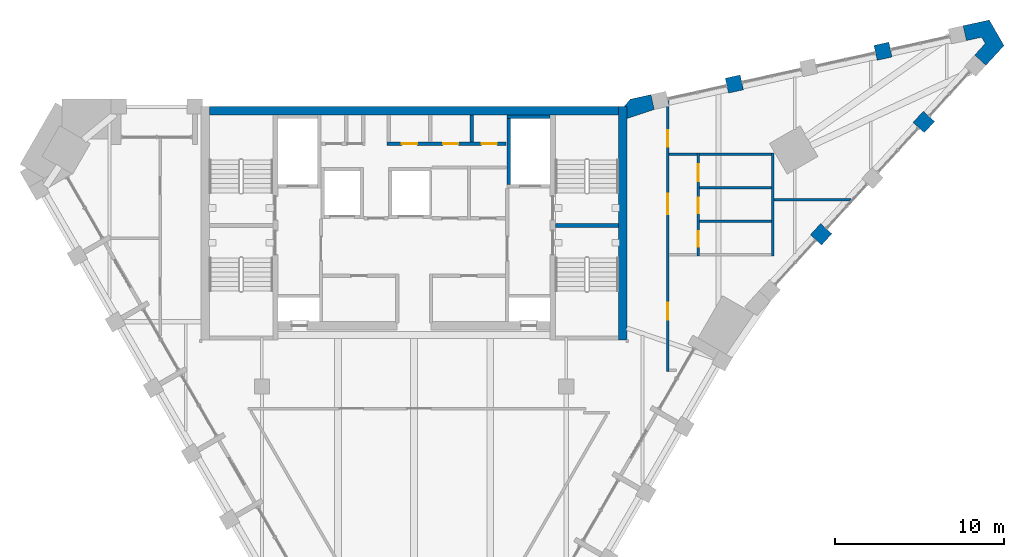
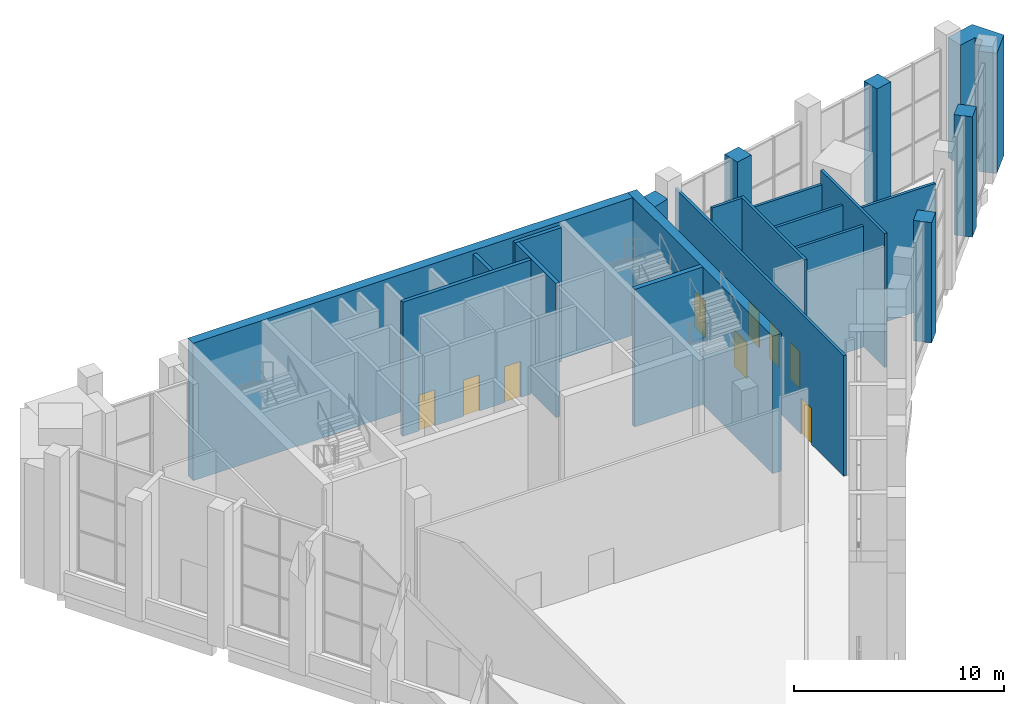
# One storey, part 13 of 16: 21 walls, 9 doors, 9 openings.
"""IFC4 building model written with IfcOpenShell, lengths in metres."""

import ifcopenshell
import ifcopenshell.guid

model = None  # the IFC model being written
_history = None  # IfcOwnerHistory: only IFC2X3 demands one
_inside = {}  # id of a spatial element -> (the spatial element, [elements in it])
_under = {}  # id of a project, library or spatial element -> (it, [spatial elements below it])
_declared = {}  # id of a project -> (the project, [libraries it declares])
_typed = {}  # id of a type object -> (the type object, [elements of that type])
_made_of = {}  # id of a material, layer set ... -> (it, [elements and type objects made of it])


def new_model(schema):
    """Start an empty IFC model of exactly this schema.

    Asked for "IFC4X3", IfcOpenShell would pick the latest addendum, in which some entities
    have other attributes; the version numbers below select the first issue.
    IFC2X3 requires an IfcOwnerHistory on every rooted entity: one is made here for all.
    """
    global model, _history
    if schema == "IFC4X3":
        model = ifcopenshell.file(schema_version=(4, 3, 0, 0))
    else:
        model = ifcopenshell.file(schema=schema)
    _inside.clear()
    _under.clear()
    _declared.clear()
    _typed.clear()
    _made_of.clear()
    _history = None
    if model.schema == "IFC2X3":
        org = make("IfcOrganization", Name="unknown")
        user = make(
            "IfcPersonAndOrganization",
            ThePerson=make("IfcPerson", FamilyName="unknown"),
            TheOrganization=org,
        )
        app = make(
            "IfcApplication",
            ApplicationDeveloper=org,
            Version="unknown",
            ApplicationFullName="unknown",
            ApplicationIdentifier="unknown",
        )
        _history = make(
            "IfcOwnerHistory",
            OwningUser=user,
            OwningApplication=app,
            ChangeAction="ADDED",
            CreationDate=0,
        )
    return model


def make(cls, **values):
    """One entity of the class cls with the attributes given. An attribute that is None is left unset."""
    return model.create_entity(
        cls, **{name: value for name, value in values.items() if value is not None}
    )


def rooted(cls, **values):
    """An entity with a GlobalId (a new one), such as an element, a storey or a relation."""
    return make(cls, GlobalId=ifcopenshell.guid.new(), OwnerHistory=_history, **values)


def si_unit(unit_type, name, prefix=None):
    """IfcSIUnit, for example si_unit("LENGTHUNIT", "METRE", prefix="MILLI")."""
    return make("IfcSIUnit", UnitType=unit_type, Prefix=prefix, Name=name)


def assignment(units):
    """IfcUnitAssignment: the units of a project."""
    return None if units is None else make("IfcUnitAssignment", Units=units)


def point(xyz):
    """IfcCartesianPoint."""
    return None if xyz is None else make("IfcCartesianPoint", Coordinates=xyz)


def direction(xyz):
    """IfcDirection."""
    return None if xyz is None else make("IfcDirection", DirectionRatios=xyz)


def frame(location, z_axis=None, x_axis=None):
    """IfcAxis2Placement3D, a coordinate frame: its origin and axes. An axis left out is left unset."""
    return make(
        "IfcAxis2Placement3D",
        Location=point(location),
        Axis=direction(z_axis),
        RefDirection=direction(x_axis),
    )


def frame_2d(location, x_axis=None):
    """IfcAxis2Placement2D, a coordinate frame in the plane: its origin and x axis."""
    return make(
        "IfcAxis2Placement2D", Location=point(location), RefDirection=direction(x_axis)
    )


def origin():
    """The frame at (0, 0, 0) with its axes left unset."""
    return frame((0.0, 0.0, 0.0))


def place(relative_to, where):
    """IfcLocalPlacement: puts the frame where relative to a parent placement (None: the world)."""
    return make(
        "IfcLocalPlacement", PlacementRelTo=relative_to, RelativePlacement=where
    )


def context(
    kind, dimensions, precision=None, world=None, true_north=None, identifier=None
):
    """IfcGeometricRepresentationContext, for example the 3D "Model" context."""
    return make(
        "IfcGeometricRepresentationContext",
        ContextIdentifier=identifier,
        ContextType=kind,
        CoordinateSpaceDimension=dimensions,
        Precision=precision,
        WorldCoordinateSystem=world,
        TrueNorth=true_north,
    )


def subcontext(parent, identifier, kind, view, scale=None):
    """IfcGeometricRepresentationSubContext, for example "Body" below "Model"."""
    return make(
        "IfcGeometricRepresentationSubContext",
        ContextIdentifier=identifier,
        ContextType=kind,
        ParentContext=parent,
        TargetScale=scale,
        TargetView=view,
    )


def project(units=None, contexts=None):
    """IfcProject with its units and contexts."""
    return rooted(
        "IfcProject",
        Name="project",
        RepresentationContexts=contexts,
        UnitsInContext=assignment(units),
    )


def spatial(cls, under=None, at=None, **own):
    """A site, building, storey or space (cls), placed at a placement, below another one or the project."""
    s = rooted(cls, ObjectPlacement=at, **own)
    if under is not None:
        _under.setdefault(under.id(), (under, []))[1].append(s)
    return s


def polyline(points):
    """IfcPolyline through the points."""
    return make("IfcPolyline", Points=[point(p) for p in points])


def profile(cls, at=None, kind="AREA", **sizes):
    """A parametric profile (cls). Its sizes go by their IFC names, for example OverallWidth=200.0."""
    return make(cls, ProfileType=kind, Position=at, **sizes)


def rectangle(**sizes):
    """IfcRectangleProfileDef."""
    return profile("IfcRectangleProfileDef", **sizes)


def outline(outer, holes=None, kind="AREA"):
    """IfcArbitraryClosedProfileDef: a profile drawn as a closed curve; with holes, ...WithVoids."""
    if holes is None:
        return make("IfcArbitraryClosedProfileDef", ProfileType=kind, OuterCurve=outer)
    return make(
        "IfcArbitraryProfileDefWithVoids",
        ProfileType=kind,
        OuterCurve=outer,
        InnerCurves=holes,
    )


def extrude(swept, where, along, depth):
    """IfcExtrudedAreaSolid: the profile swept, set in the frame where, extruded along a direction by depth."""
    return make(
        "IfcExtrudedAreaSolid",
        SweptArea=swept,
        Position=where,
        ExtrudedDirection=direction(along),
        Depth=depth,
    )


def shape(context_of_items, identifier, shape_type, items):
    """IfcShapeRepresentation: the items that make up one representation, for example the "Body"."""
    return make(
        "IfcShapeRepresentation",
        ContextOfItems=context_of_items,
        RepresentationIdentifier=identifier,
        RepresentationType=shape_type,
        Items=items,
    )


def material(Name=None, Category=None):
    """IfcMaterial."""
    return make("IfcMaterial", Name=Name, Category=Category)


def layer(
    of_material, thickness, ventilated=None, Name=None, Category=None, Priority=None
):
    """IfcMaterialLayer: one layer of a wall or slab, of a material (None: an air gap)."""
    return make(
        "IfcMaterialLayer",
        Material=of_material,
        LayerThickness=thickness,
        IsVentilated=ventilated,
        Name=Name,
        Category=Category,
        Priority=Priority,
    )


def layer_set(layers, Name=None):
    """IfcMaterialLayerSet."""
    return make("IfcMaterialLayerSet", MaterialLayers=layers, LayerSetName=Name)


def made_of(thing, what):
    """Note that an element or type object is made of a material, layer set ...; save() writes the relation."""
    if what is not None:
        _made_of.setdefault(what.id(), (what, []))[1].append(thing)
    return thing


def type_object(cls, material=None, **own):
    """A type object (cls), such as IfcWallType, which elements share."""
    return made_of(rooted(cls, **own), material)


def element(
    cls,
    number,
    at=None,
    inside=None,
    cuts=None,
    type_object=None,
    material=None,
    context=None,
    identifier="Body",
    shape_type=None,
    held_by="IfcProductDefinitionShape",
    body=None,
    shapes=None,
    **own,
):
    """One element of the class cls, such as IfcWall. Its Tag is "e" and its number.

    at: its placement. inside: the storey or other place that contains it. cuts: it is an
    opening in that element (IfcRelVoidsElement). A single representation is given by context,
    identifier, shape_type and body (its items); several are given by shapes. held_by: the class
    of the entity that holds the representations. save() writes the other relations.
    """
    e = rooted(cls, Tag="e%d" % number, ObjectPlacement=at, **own)
    if body is not None:
        shapes = [shape(context, identifier, shape_type, body)]
    if shapes is not None:
        e.Representation = make(held_by, Representations=shapes)
    if inside is not None:
        _inside.setdefault(inside.id(), (inside, []))[1].append(e)
    if cuts is not None:
        rooted(
            "IfcRelVoidsElement", RelatingBuildingElement=cuts, RelatedOpeningElement=e
        )
    if type_object is not None:
        _typed.setdefault(type_object.id(), (type_object, []))[1].append(e)
    return made_of(e, material)


def fill(opening, filler):
    """IfcRelFillsElement: the door or window that sits in an opening."""
    return rooted(
        "IfcRelFillsElement",
        RelatingOpeningElement=opening,
        RelatedBuildingElement=filler,
    )


def aggregate(whole, parts):
    """IfcRelAggregates: a whole, such as a stair, and the parts it consists of."""
    return rooted("IfcRelAggregates", RelatingObject=whole, RelatedObjects=parts)


def save(model, path):
    """Write the relations noted so far, then the file.

    IfcRelAggregates (storeys below a building ...), IfcRelContainedInSpatialStructure (elements
    in a storey), IfcRelDefinesByType, IfcRelAssociatesMaterial and IfcRelDeclares: one each for
    every whole, place, type object, material and project.
    """
    for whole, parts in _under.values():
        aggregate(whole, parts)
    for where, things in _inside.values():
        rooted(
            "IfcRelContainedInSpatialStructure",
            RelatedElements=things,
            RelatingStructure=where,
        )
    for kind, things in _typed.values():
        rooted("IfcRelDefinesByType", RelatedObjects=things, RelatingType=kind)
    for what, things in _made_of.values():
        rooted("IfcRelAssociatesMaterial", RelatedObjects=things, RelatingMaterial=what)
    for by, libraries in _declared.values():
        rooted("IfcRelDeclares", RelatingContext=by, RelatedDefinitions=libraries)
    model.write(path)


model = new_model("IFC4")

# Units and contexts
model_context = context("Model", 3, precision=1e-05, world=origin(), true_north=direction((0.0, 1.0)))
body_context = subcontext(model_context, "Body", "Model", "MODEL_VIEW")
ifc_project = project(units=[si_unit("LENGTHUNIT", "METRE"), si_unit("AREAUNIT", "SQUARE_METRE"), si_unit("VOLUMEUNIT", "CUBIC_METRE"), si_unit("PLANEANGLEUNIT", "RADIAN"), si_unit("MASSUNIT", "GRAM", prefix="KILO")], contexts=[model_context])

# Site, building, storey
site_placement = place(None, origin())
site = spatial("IfcSite", under=ifc_project, at=site_placement, CompositionType="ELEMENT")
building_placement = place(site_placement, origin())
building = spatial("IfcBuilding", under=site, at=building_placement, Name="Calabash Gate Tower", CompositionType="ELEMENT")
storey_placement = place(building_placement, frame((0.0, 0.0, 302.5)))
storey = spatial("IfcBuildingStorey", under=building, at=storey_placement, Name="L72", CompositionType="ELEMENT", Elevation=302.5)

# Walls
ifc_material_1 = material(Name="Terracotta brick masonry, exposed face", Category="masonry")
ifc_layer_1 = layer(ifc_material_1, 0.89990234375)
ifc_layer_set_1 = layer_set([ifc_layer_1], Name="Brick end wall 900")
wall_type_1 = type_object("IfcWallType", Name="Brick end wall 900", PredefinedType="SOLIDWALL", material=ifc_layer_set_1)
wall_1_placement = place(storey_placement, frame((23.763671875, 11.17333984375, 0.0), z_axis=(0.0, 0.0, 1.0), x_axis=(0.674802966049, 0.737997938352, 0.0)))
element("IfcWall", 1, at=wall_1_placement, inside=storey, type_object=wall_type_1, Name="Brick pier L72 wedge3.1", PredefinedType="SOLIDWALL", context=body_context, shape_type="SweptSolid", body=[
    extrude(rectangle(XDim=0.900146484375, YDim=0.89990234375, at=frame_2d((0.4501953125, 0.0))), origin(), (0.0, 0.0, 1.0), 7.0),
])
wall_2_placement = place(storey_placement, frame((30.44482421875, 18.47900390625, 0.0), z_axis=(0.0, 0.0, 1.0), x_axis=(-0.674938051731, -0.737874397391, 0.0)))
element("IfcWall", 2, at=wall_2_placement, inside=storey, type_object=wall_type_1, Name="Brick pier L72 wedge3.3", PredefinedType="SOLIDWALL", context=body_context, shape_type="SweptSolid", body=[
    extrude(rectangle(XDim=0.89990234375, YDim=0.89990234375, at=frame_2d((0.449951171875, 0.0))), origin(), (0.0, 0.0, 1.0), 7.0),
])
for number, where, z_axis, x_axis, name in (
    (3, (28.16650390625, 22.42529296875, 0.0), (0.0, 0.0, 1.0), (-0.976473402733, -0.215637876437, 0.0), "Brick pier L72 wedge5.1"),
    (4, (18.4990234375, 20.2919921875, 0.0), (0.0, 0.0, 1.0), (0.976473402733, 0.215637876437, 0.0), "Brick pier L72 wedge5.3"),
):
    element("IfcWall", number, at=place(storey_placement, frame(where, z_axis=z_axis, x_axis=x_axis)), inside=storey, type_object=wall_type_1, Name=name, PredefinedType="SOLIDWALL", context=body_context, shape_type="SweptSolid", body=[
        extrude(rectangle(XDim=0.900146484375, YDim=0.89990234375, at=frame_2d((0.4501953125, 0.0))), origin(), (0.0, 0.0, 1.0), 7.0),
    ])
wall_3_placement = place(storey_placement, origin())
element("IfcWall", 5, at=wall_3_placement, inside=storey, type_object=wall_type_1, Name="Brick end wall L72 2", PredefinedType="SOLIDWALL", context=body_context, shape_type="SweptSolid", body=[
    extrude(outline(polyline([(33.813720703125, 21.496337890625), (34.881591796875, 22.663818359375), (34.0087890625, 24.175048828125), (32.4638671875, 23.834228515625), (32.65771484375, 22.955322265625), (33.55908203125, 23.154296875), (33.7724609375, 22.78466796875), (33.149658203125, 22.103759765625), (33.813720703125, 21.496337890625)])), origin(), (0.0, 0.0, 1.0), 7.0),
])
wall_4_placement = place(storey_placement, origin())
element("IfcWall", 6, at=wall_4_placement, inside=storey, type_object=wall_type_1, Name="Brick end wall L72 3", PredefinedType="SOLIDWALL", context=body_context, shape_type="SweptSolid", body=[
    extrude(outline(polyline([(14.201416015625, 18.883056640625), (14.0078125, 19.761962890625), (12.784423828125, 19.491943359375), (12.410400390625, 19.052490234375), (12.60009765625, 19.052490234375), (12.60009765625, 18.351806640625), (14.201416015625, 18.883056640625)])), origin(), (0.0, 0.0, 1.0), 7.0),
])
ifc_material_2 = material(Name="Gypsum board on steel studs, mineral wool", Category="steel")
ifc_layer_2 = layer(ifc_material_2, 0.199951171875)
ifc_layer_set_2 = layer_set([ifc_layer_2], Name="Core partition 200 gypsum board")
wall_type_2 = type_object("IfcWallType", Name="Core partition 200 gypsum board", PredefinedType="PARTITIONING", material=ifc_layer_set_2)
wall_5_placement = place(storey_placement, frame((3.39990234375, 16.95263671875, 0.0), z_axis=(0.0, 0.0, 1.0), x_axis=(0.0, 1.0, 0.0)))
element("IfcWall", 7, at=wall_5_placement, inside=storey, type_object=wall_type_2, Name="Core partition", PredefinedType="PARTITIONING", context=body_context, shape_type="SweptSolid", body=[
    extrude(rectangle(XDim=1.599853515625, YDim=0.199951171875, at=frame_2d((0.7998046875, 0.0))), origin(), (0.0, 0.0, 1.0), 7.800048828125),
])
ifc_material_3 = material(Name="Concrete C60/75", Category="concrete")
ifc_layer_3 = layer(ifc_material_3, 0.25)
ifc_layer_set_3 = layer_set([ifc_layer_3], Name="Core wall 250 Concrete C60/75")
wall_type_3 = type_object("IfcWallType", Name="Core wall 250 Concrete C60/75", PredefinedType="SHEAR", material=ifc_layer_set_3)
wall_6_placement = place(storey_placement, frame((8.35009765625, 12.027587890625, 0.0), z_axis=(0.0, 0.0, 1.0), x_axis=(1.0, 0.0, 0.0)))
element("IfcWall", 8, at=wall_6_placement, inside=storey, type_object=wall_type_3, Name="Core wall Z5-MIDE L72", PredefinedType="SHEAR", context=body_context, shape_type="SweptSolid", body=[
    extrude(rectangle(XDim=3.75, YDim=0.25, at=frame_2d((1.875, 0.0))), origin(), (0.0, 0.0, 1.0), 8.0),
])
ifc_material_4 = material(Name="Concrete C60/75", Category="concrete")
ifc_layer_4 = layer(ifc_material_4, 0.5)
ifc_layer_set_4 = layer_set([ifc_layer_4], Name="Core wall 500 Concrete C60/75")
wall_type_4 = type_object("IfcWallType", Name="Core wall 500 Concrete C60/75", PredefinedType="SHEAR", material=ifc_layer_set_4)
wall_7_placement = place(storey_placement, frame((-12.10009765625, 18.802490234375, 0.0), z_axis=(0.0, 0.0, 1.0), x_axis=(1.0, 0.0, 0.0)))
element("IfcWall", 9, at=wall_7_placement, inside=storey, type_object=wall_type_4, Name="Core wall Z5-N L72", PredefinedType="SHEAR", context=body_context, shape_type="SweptSolid", body=[
    extrude(rectangle(XDim=24.2001953125, YDim=0.5, at=frame_2d((12.10009765625, 0.0))), origin(), (0.0, 0.0, 1.0), 8.0),
])
wall_8_placement = place(storey_placement, frame((12.35009765625, 5.252685546875, 0.0), z_axis=(0.0, 0.0, 1.0), x_axis=(0.0, 1.0, 0.0)))
element("IfcWall", 10, at=wall_8_placement, inside=storey, type_object=wall_type_4, Name="Core wall Z5-COLE L72", PredefinedType="SHEAR", context=body_context, shape_type="SweptSolid", body=[
    extrude(rectangle(XDim=13.7998046875, YDim=0.5, at=frame_2d((6.89990234375, 0.0))), origin(), (0.0, 0.0, 1.0), 8.0),
])

# Wall, openings, doors
ifc_material_5 = material(Name="Gypsum board on steel studs, mineral wool", Category="steel")
ifc_layer_5 = layer(ifc_material_5, 0.14990234375)
ifc_layer_set_5 = layer_set([ifc_layer_5], Name="Partition 150 gypsum board")
wall_type_5 = type_object("IfcWallType", Name="Partition 150 gypsum board", PredefinedType="PARTITIONING", material=ifc_layer_set_5)
wall_9_placement = place(storey_placement, frame((15.0, 3.377685546875, 0.0), z_axis=(0.0, 0.0, 1.0), x_axis=(0.0, 1.0, 0.0)))
wall_9 = element("IfcWall", 11, at=wall_9_placement, inside=storey, type_object=wall_type_5, Name="Partition", PredefinedType="PARTITIONING", context=body_context, shape_type="SweptSolid", body=[
    extrude(rectangle(XDim=16.084228515625, YDim=0.14990234375, at=frame_2d((8.0419921875, 0.0))), origin(), (0.0, 0.0, 1.0), 7.02001953125),
])
opening_1_placement = place(wall_9_placement, frame((9.31103515625, 0.0, 0.0)))
opening_1 = element("IfcOpeningElement", 12, at=opening_1_placement, cuts=wall_9, Name="Opening L72-026", PredefinedType="OPENING", context=body_context, shape_type="SweptSolid", body=[
    extrude(rectangle(XDim=1.199951171875, YDim=2.10009765625, at=frame_2d((0.60009765625, 1.050048828125))), frame((0.0, 0.0849609375, 0.0), z_axis=(0.0, -1.0, 0.0), x_axis=(1.0, 0.0, 0.0)), (0.0, 0.0, 1.0), 0.169921875),
])
opening_2_placement = place(wall_9_placement, frame((13.29248046875, 0.0, 0.0)))
opening_2 = element("IfcOpeningElement", 13, at=opening_2_placement, cuts=wall_9, Name="Opening L72-030", PredefinedType="OPENING", context=body_context, shape_type="SweptSolid", body=[
    extrude(rectangle(XDim=1.0, YDim=2.10009765625, at=frame_2d((0.5, 1.050048828125))), frame((0.0, 0.0849609375, 0.0), z_axis=(0.0, -1.0, 0.0), x_axis=(1.0, 0.0, 0.0)), (0.0, 0.0, 1.0), 0.169921875),
])
opening_3_placement = place(wall_9_placement, frame((3.071044921875, 0.0, 0.0)))
opening_3 = element("IfcOpeningElement", 14, at=opening_3_placement, cuts=wall_9, Name="Opening L72-031", PredefinedType="OPENING", context=body_context, shape_type="SweptSolid", body=[
    extrude(rectangle(XDim=1.0, YDim=2.10009765625, at=frame_2d((0.5, 1.050048828125))), frame((0.0, 0.0849609375, 0.0), z_axis=(0.0, -1.0, 0.0), x_axis=(1.0, 0.0, 0.0)), (0.0, 0.0, 1.0), 0.169921875),
])
ifc_material_6 = material(Name="Steel fire door set with fire-resisting glazing", Category="steel")
door_type_1 = type_object("IfcDoorType", Name="Fire door D09 1200x2100 FD60", OperationType="NOTDEFINED", PredefinedType="DOOR", material=ifc_material_6)
door_1_placement = place(opening_1_placement, origin())
door_1 = element("IfcDoor", 15, at=door_1_placement, inside=storey, type_object=door_type_1, Name="Public WC Lobby door", OperationType="SINGLE_SWING_RIGHT", OverallHeight=2.10009765625, OverallWidth=1.199951171875, PredefinedType="DOOR", context=body_context, shape_type="SweptSolid", body=[
    extrude(rectangle(XDim=1.199951171875, YDim=2.10009765625, at=frame_2d((0.60009765625, 1.050048828125))), frame((0.0, 0.02490234375, 0.0), z_axis=(0.0, -1.0, 0.0), x_axis=(1.0, 0.0, 0.0)), (0.0, 0.0, 1.0), 0.050048828125),
])
fill(opening_1, door_1)
ifc_material_7 = material(Name="Steel fire door set with fire-resisting glazing", Category="steel")
door_type_2 = type_object("IfcDoorType", Name="Fire door D11 1000x2100 FD60", OperationType="NOTDEFINED", PredefinedType="DOOR", material=ifc_material_7)
door_2_placement = place(opening_2_placement, origin())
door_2 = element("IfcDoor", 16, at=door_2_placement, inside=storey, type_object=door_type_2, Name="Gift Shop door", OperationType="SINGLE_SWING_LEFT", OverallHeight=2.10009765625, OverallWidth=1.0, PredefinedType="DOOR", context=body_context, shape_type="SweptSolid", body=[
    extrude(rectangle(XDim=1.0, YDim=2.10009765625, at=frame_2d((0.5, 1.050048828125))), frame((0.0, 0.02490234375, 0.0), z_axis=(0.0, -1.0, 0.0), x_axis=(1.0, 0.0, 0.0)), (0.0, 0.0, 1.0), 0.050048828125),
])
fill(opening_2, door_2)
door_3_placement = place(opening_3_placement, origin())
door_3 = element("IfcDoor", 17, at=door_3_placement, inside=storey, type_object=door_type_2, Name="Kitchen door", OperationType="SINGLE_SWING_RIGHT", OverallHeight=2.10009765625, OverallWidth=1.0, PredefinedType="DOOR", context=body_context, shape_type="SweptSolid", body=[
    extrude(rectangle(XDim=1.0, YDim=2.10009765625, at=frame_2d((0.5, 1.050048828125))), frame((0.0, 0.02490234375, 0.0), z_axis=(0.0, -1.0, 0.0), x_axis=(1.0, 0.0, 0.0)), (0.0, 0.0, 1.0), 0.050048828125),
])
fill(opening_3, door_3)

wall_10_placement = place(storey_placement, frame((16.800048828125, 10.2236328125, 0.0), z_axis=(0.0, 0.0, 1.0), x_axis=(0.0, 1.0, 0.0)))
wall_10 = element("IfcWall", 18, at=wall_10_placement, inside=storey, type_object=wall_type_5, Name="Partition", PredefinedType="PARTITIONING", context=body_context, shape_type="SweptSolid", body=[
    extrude(rectangle(XDim=6.090087890625, YDim=0.14990234375, at=frame_2d((3.044921875, 0.0))), origin(), (0.0, 0.0, 1.0), 7.800048828125),
])
opening_4_placement = place(wall_10_placement, frame((0.554931640625, 0.0, 0.0)))
opening_4 = element("IfcOpeningElement", 19, at=opening_4_placement, cuts=wall_10, Name="Opening L72-027", PredefinedType="OPENING", context=body_context, shape_type="SweptSolid", body=[
    extrude(rectangle(XDim=0.89990234375, YDim=2.10009765625, at=frame_2d((0.449951171875, 1.050048828125))), frame((0.0, 0.0849609375, 0.0), z_axis=(0.0, -1.0, 0.0), x_axis=(1.0, 0.0, 0.0)), (0.0, 0.0, 1.0), 0.169921875),
])
opening_5_placement = place(wall_10_placement, frame((2.534912109375, 0.0, 0.0)))
opening_5 = element("IfcOpeningElement", 20, at=opening_5_placement, cuts=wall_10, Name="Opening L72-028", PredefinedType="OPENING", context=body_context, shape_type="SweptSolid", body=[
    extrude(rectangle(XDim=0.89990234375, YDim=2.10009765625, at=frame_2d((0.449951171875, 1.050048828125))), frame((0.0, 0.0849609375, 0.0), z_axis=(0.0, -1.0, 0.0), x_axis=(1.0, 0.0, 0.0)), (0.0, 0.0, 1.0), 0.169921875),
])
opening_6_placement = place(wall_10_placement, frame((4.4150390625, 0.0, 0.0)))
opening_6 = element("IfcOpeningElement", 21, at=opening_6_placement, cuts=wall_10, Name="Opening L72-029", PredefinedType="OPENING", context=body_context, shape_type="SweptSolid", body=[
    extrude(rectangle(XDim=1.0, YDim=2.10009765625, at=frame_2d((0.5, 1.050048828125))), frame((0.0, 0.0849609375, 0.0), z_axis=(0.0, -1.0, 0.0), x_axis=(1.0, 0.0, 0.0)), (0.0, 0.0, 1.0), 0.169921875),
])
ifc_material_8 = material(Name="Steel fire door set with fire-resisting glazing", Category="steel")
door_type_3 = type_object("IfcDoorType", Name="Fire door D13 900x2100 FD30", OperationType="NOTDEFINED", PredefinedType="DOOR", material=ifc_material_8)
door_4_placement = place(opening_4_placement, origin())
door_4 = element("IfcDoor", 22, at=door_4_placement, inside=storey, type_object=door_type_3, Name="Men's WC door", OperationType="SINGLE_SWING_LEFT", OverallHeight=2.10009765625, OverallWidth=0.89990234375, PredefinedType="DOOR", context=body_context, shape_type="SweptSolid", body=[
    extrude(rectangle(XDim=0.89990234375, YDim=2.10009765625, at=frame_2d((0.449951171875, 1.050048828125))), frame((0.0, 0.02490234375, 0.0), z_axis=(0.0, -1.0, 0.0), x_axis=(1.0, 0.0, 0.0)), (0.0, 0.0, 1.0), 0.050048828125),
])
fill(opening_4, door_4)
door_5_placement = place(opening_5_placement, origin())
door_5 = element("IfcDoor", 23, at=door_5_placement, inside=storey, type_object=door_type_3, Name="Women's WC door", OperationType="SINGLE_SWING_RIGHT", OverallHeight=2.10009765625, OverallWidth=0.89990234375, PredefinedType="DOOR", context=body_context, shape_type="SweptSolid", body=[
    extrude(rectangle(XDim=0.89990234375, YDim=2.10009765625, at=frame_2d((0.449951171875, 1.050048828125))), frame((0.0, 0.02490234375, 0.0), z_axis=(0.0, -1.0, 0.0), x_axis=(1.0, 0.0, 0.0)), (0.0, 0.0, 1.0), 0.050048828125),
])
fill(opening_5, door_5)
ifc_material_9 = material(Name="Steel fire door set with fire-resisting glazing", Category="steel")
door_type_4 = type_object("IfcDoorType", Name="Fire door D14 1000x2100 FD30", OperationType="NOTDEFINED", PredefinedType="DOOR", material=ifc_material_9)
door_6_placement = place(opening_6_placement, origin())
door_6 = element("IfcDoor", 24, at=door_6_placement, inside=storey, type_object=door_type_4, Name="Accessible WC door", OperationType="SINGLE_SWING_RIGHT", OverallHeight=2.10009765625, OverallWidth=1.0, PredefinedType="DOOR", context=body_context, shape_type="SweptSolid", body=[
    extrude(rectangle(XDim=1.0, YDim=2.10009765625, at=frame_2d((0.5, 1.050048828125))), frame((0.0, 0.02490234375, 0.0), z_axis=(0.0, -1.0, 0.0), x_axis=(1.0, 0.0, 0.0)), (0.0, 0.0, 1.0), 0.050048828125),
])
fill(opening_6, door_6)

# Walls
wall_11_placement = place(storey_placement, frame((21.199951171875, 10.2236328125, 0.0), z_axis=(0.0, 0.0, 1.0), x_axis=(0.0, 1.0, 0.0)))
element("IfcWall", 25, at=wall_11_placement, inside=storey, type_object=wall_type_5, Name="Partition", PredefinedType="PARTITIONING", context=body_context, shape_type="SweptSolid", body=[
    extrude(rectangle(XDim=6.090087890625, YDim=0.14990234375, at=frame_2d((3.044921875, 0.0))), origin(), (0.0, 0.0, 1.0), 7.800048828125),
])
wall_12_placement = place(storey_placement, frame((16.875, 12.278564453125, 0.0), z_axis=(0.0, 0.0, 1.0), x_axis=(1.0, 0.0, 0.0)))
element("IfcWall", 26, at=wall_12_placement, inside=storey, type_object=wall_type_5, Name="Partition", PredefinedType="PARTITIONING", context=body_context, shape_type="SweptSolid", body=[
    extrude(rectangle(XDim=4.25, YDim=0.14990234375, at=frame_2d((2.125, 0.0))), origin(), (0.0, 0.0, 1.0), 7.04345703125),
])
wall_13_placement = place(storey_placement, frame((21.27490234375, 13.55859375, 0.0), z_axis=(0.0, 0.0, 1.0), x_axis=(1.0, 0.0, 0.0)))
element("IfcWall", 27, at=wall_13_placement, inside=storey, type_object=wall_type_5, Name="Partition", PredefinedType="PARTITIONING", context=body_context, shape_type="SweptSolid", body=[
    extrude(rectangle(XDim=4.554443359375, YDim=0.14990234375, at=frame_2d((2.27734375, 0.0))), origin(), (0.0, 0.0, 1.0), 7.10009765625),
])
wall_14_placement = place(storey_placement, frame((16.875, 14.258544921875, 0.0), z_axis=(0.0, 0.0, 1.0), x_axis=(1.0, 0.0, 0.0)))
element("IfcWall", 28, at=wall_14_placement, inside=storey, type_object=wall_type_5, Name="Partition", PredefinedType="PARTITIONING", context=body_context, shape_type="SweptSolid", body=[
    extrude(rectangle(XDim=4.25, YDim=0.14990234375, at=frame_2d((2.125, 0.0))), origin(), (0.0, 0.0, 1.0), 7.04345703125),
])
wall_15_placement = place(storey_placement, frame((15.074951171875, 16.238525390625, 0.0), z_axis=(0.0, 0.0, 1.0), x_axis=(1.0, 0.0, 0.0)))
element("IfcWall", 29, at=wall_15_placement, inside=storey, type_object=wall_type_5, Name="Partition", PredefinedType="PARTITIONING", context=body_context, shape_type="SweptSolid", body=[
    extrude(rectangle(XDim=1.650146484375, YDim=0.14990234375, at=frame_2d((0.8251953125, 0.0))), origin(), (0.0, 0.0, 1.0), 7.800048828125),
])
wall_16_placement = place(storey_placement, frame((16.875, 16.238525390625, 0.0), z_axis=(0.0, 0.0, 1.0), x_axis=(1.0, 0.0, 0.0)))
element("IfcWall", 30, at=wall_16_placement, inside=storey, type_object=wall_type_5, Name="Partition", PredefinedType="PARTITIONING", context=body_context, shape_type="SweptSolid", body=[
    extrude(rectangle(XDim=4.25, YDim=0.14990234375, at=frame_2d((2.125, 0.0))), origin(), (0.0, 0.0, 1.0), 7.04345703125),
])
ifc_material_10 = material(Name="Concrete C40/50", Category="concrete")
ifc_layer_6 = layer(ifc_material_10, 0.199951171875)
ifc_layer_set_6 = layer_set([ifc_layer_6], Name="Shaft wall 200 Concrete C40/50")
wall_type_6 = type_object("IfcWallType", Name="Shaft wall 200 Concrete C40/50", PredefinedType="SOLIDWALL", material=ifc_layer_set_6)
wall_17_placement = place(storey_placement, frame((5.60009765625, 14.45263671875, 0.0), z_axis=(0.0, 0.0, 1.0), x_axis=(0.0, 1.0, 0.0)))
element("IfcWall", 31, at=wall_17_placement, inside=storey, type_object=wall_type_6, Name="Shaft wall", PredefinedType="SOLIDWALL", context=body_context, shape_type="SweptSolid", body=[
    extrude(rectangle(XDim=3.89990234375, YDim=0.199951171875, at=frame_2d((1.949951171875, 0.0))), origin(), (0.0, 0.0, 1.0), 7.800048828125),
])

# Wall, openings, doors
wall_18_placement = place(storey_placement, frame((-1.60009765625, 16.8525390625, 0.0), z_axis=(0.0, 0.0, 1.0), x_axis=(1.0, 0.0, 0.0)))
wall_18 = element("IfcWall", 32, at=wall_18_placement, inside=storey, type_object=wall_type_6, Name="Shaft wall", PredefinedType="SOLIDWALL", context=body_context, shape_type="SweptSolid", body=[
    extrude(rectangle(XDim=7.050048828125, YDim=0.199951171875, at=frame_2d((3.52490234375, 0.0))), origin(), (0.0, 0.0, 1.0), 7.800048828125),
])
opening_7_placement = place(wall_18_placement, frame((0.875, 0.0, 0.0)))
opening_7 = element("IfcOpeningElement", 33, at=opening_7_placement, cuts=wall_18, Name="Opening L72-015", PredefinedType="OPENING", context=body_context, shape_type="SweptSolid", body=[
    extrude(rectangle(XDim=0.89990234375, YDim=2.10009765625, at=frame_2d((0.449951171875, 1.050048828125))), frame((0.0, 0.10986328125, 0.0), z_axis=(0.0, -1.0, 0.0), x_axis=(1.0, 0.0, 0.0)), (0.0, 0.0, 1.0), 0.219970703125),
])
opening_8_placement = place(wall_18_placement, frame((3.324951171875, 0.0, 0.0)))
opening_8 = element("IfcOpeningElement", 34, at=opening_8_placement, cuts=wall_18, Name="Opening L72-016", PredefinedType="OPENING", context=body_context, shape_type="SweptSolid", body=[
    extrude(rectangle(XDim=0.89990234375, YDim=2.10009765625, at=frame_2d((0.449951171875, 1.050048828125))), frame((0.0, 0.10986328125, 0.0), z_axis=(0.0, -1.0, 0.0), x_axis=(1.0, 0.0, 0.0)), (0.0, 0.0, 1.0), 0.219970703125),
])
opening_9_placement = place(wall_18_placement, frame((5.60009765625, 0.0, 0.0)))
opening_9 = element("IfcOpeningElement", 35, at=opening_9_placement, cuts=wall_18, Name="Opening L72-017", PredefinedType="OPENING", context=body_context, shape_type="SweptSolid", body=[
    extrude(rectangle(XDim=0.89990234375, YDim=2.10009765625, at=frame_2d((0.449951171875, 1.050048828125))), frame((0.0, 0.10986328125, 0.0), z_axis=(0.0, -1.0, 0.0), x_axis=(1.0, 0.0, 0.0)), (0.0, 0.0, 1.0), 0.219970703125),
])
ifc_material_11 = material(Name="Steel fire door set with fire-resisting glazing", Category="steel")
door_type_5 = type_object("IfcDoorType", Name="Fire door D06 900x2100 FD60", OperationType="NOTDEFINED", PredefinedType="DOOR", material=ifc_material_11)
door_7_placement = place(opening_7_placement, origin())
door_7 = element("IfcDoor", 36, at=door_7_placement, inside=storey, type_object=door_type_5, Name="Comms Room door", OperationType="SINGLE_SWING_LEFT", OverallHeight=2.10009765625, OverallWidth=0.89990234375, PredefinedType="DOOR", context=body_context, shape_type="SweptSolid", body=[
    extrude(rectangle(XDim=0.89990234375, YDim=2.10009765625, at=frame_2d((0.449951171875, 1.050048828125))), frame((0.0, 0.02490234375, 0.0), z_axis=(0.0, -1.0, 0.0), x_axis=(1.0, 0.0, 0.0)), (0.0, 0.0, 1.0), 0.050048828125),
])
fill(opening_7, door_7)
door_8_placement = place(opening_8_placement, origin())
door_8 = element("IfcDoor", 37, at=door_8_placement, inside=storey, type_object=door_type_5, Name="Staff WC door", OperationType="SINGLE_SWING_LEFT", OverallHeight=2.10009765625, OverallWidth=0.89990234375, PredefinedType="DOOR", context=body_context, shape_type="SweptSolid", body=[
    extrude(rectangle(XDim=0.89990234375, YDim=2.10009765625, at=frame_2d((0.449951171875, 1.050048828125))), frame((0.0, 0.02490234375, 0.0), z_axis=(0.0, -1.0, 0.0), x_axis=(1.0, 0.0, 0.0)), (0.0, 0.0, 1.0), 0.050048828125),
])
fill(opening_8, door_8)
door_9_placement = place(opening_9_placement, origin())
door_9 = element("IfcDoor", 38, at=door_9_placement, inside=storey, type_object=door_type_5, Name="Store door", OperationType="SINGLE_SWING_RIGHT", OverallHeight=2.10009765625, OverallWidth=0.89990234375, PredefinedType="DOOR", context=body_context, shape_type="SweptSolid", body=[
    extrude(rectangle(XDim=0.89990234375, YDim=2.10009765625, at=frame_2d((0.449951171875, 1.050048828125))), frame((0.0, 0.02490234375, 0.0), z_axis=(0.0, -1.0, 0.0), x_axis=(1.0, 0.0, 0.0)), (0.0, 0.0, 1.0), 0.050048828125),
])
fill(opening_9, door_9)

# Wall
wall_19_placement = place(storey_placement, frame((5.5, 18.45263671875, 0.0), z_axis=(0.0, 0.0, 1.0), x_axis=(1.0, 0.0, 0.0)))
element("IfcWall", 39, at=wall_19_placement, inside=storey, type_object=wall_type_6, Name="Shaft wall", PredefinedType="SOLIDWALL", context=body_context, shape_type="SweptSolid", body=[
    extrude(rectangle(XDim=2.550048828125, YDim=0.199951171875, at=frame_2d((1.27490234375, 0.0))), origin(), (0.0, 0.0, 1.0), 7.800048828125),
])

save(model, "model.ifc")
